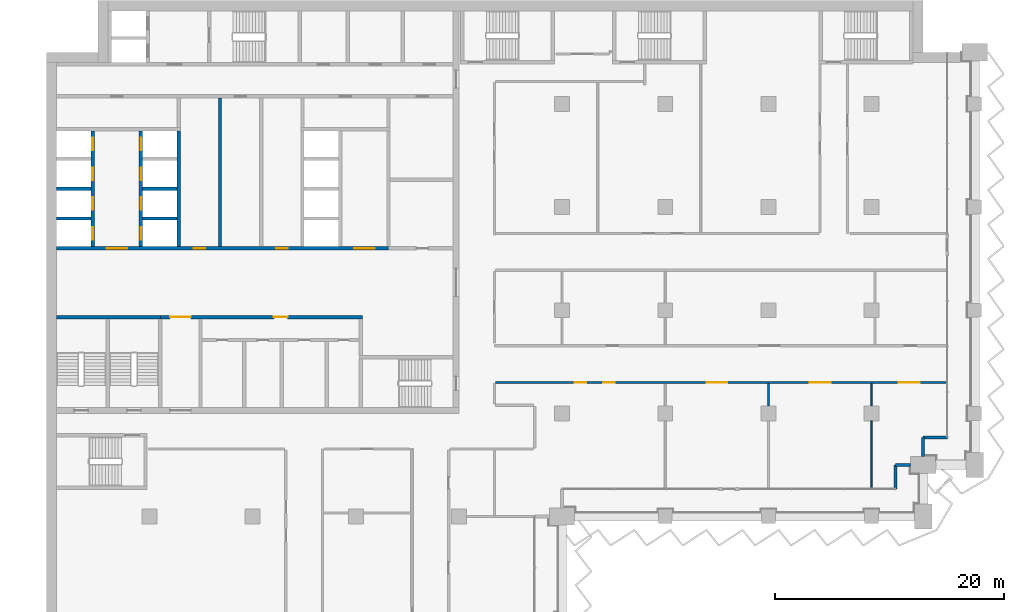
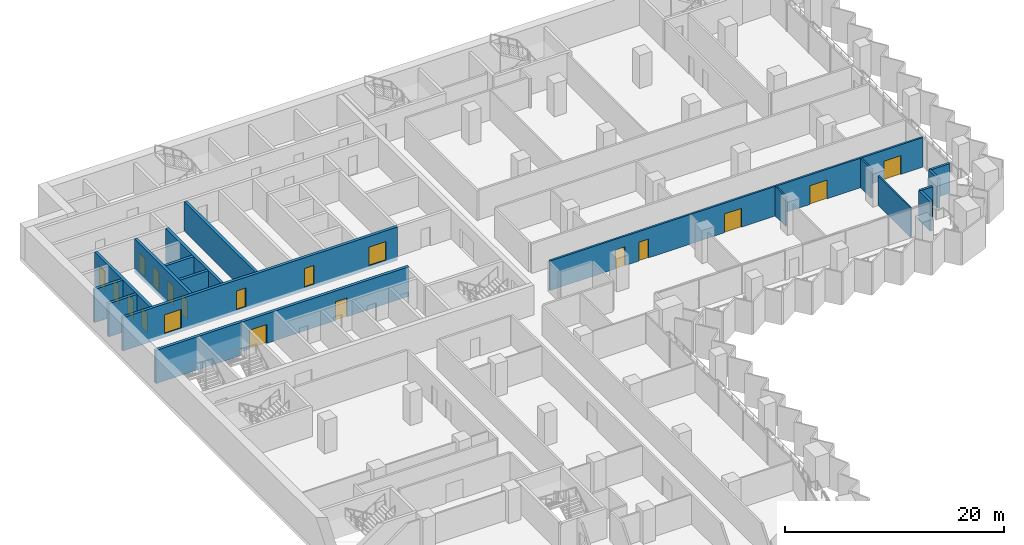
# One storey, part 12 of 23: 19 doors, 19 walls, 19 openings.
"""IFC4 building model written with IfcOpenShell, lengths in metres."""

from ifc_helpers import new_model, si_unit, direction, frame, frame_2d, origin, place, context, subcontext, project, spatial, rectangle, extrude, material, layer, layer_set, type_object, element, fill, save


model = new_model("IFC4")

# Units and contexts
model_context = context("Model", 3, precision=1e-05, world=origin(), true_north=direction((0.0, 1.0)))
body_context = subcontext(model_context, "Body", "Model", "MODEL_VIEW")
ifc_project = project(units=[si_unit("LENGTHUNIT", "METRE"), si_unit("AREAUNIT", "SQUARE_METRE"), si_unit("VOLUMEUNIT", "CUBIC_METRE"), si_unit("PLANEANGLEUNIT", "RADIAN"), si_unit("MASSUNIT", "GRAM", prefix="KILO")], contexts=[model_context])

# Site, building, storey
site_placement = place(None, origin())
site = spatial("IfcSite", under=ifc_project, at=site_placement, CompositionType="ELEMENT")
building_placement = place(site_placement, origin())
building = spatial("IfcBuilding", under=site, at=building_placement, Name="Hunhe Ridgeline Campus", CompositionType="ELEMENT")
storey_placement = place(building_placement, frame((0.0, 0.0, 99.60009765625)))
storey = spatial("IfcBuildingStorey", under=building, at=storey_placement, Name="L24", CompositionType="ELEMENT", Elevation=99.60009765625)

# Wall, openings, doors
ifc_material_1 = material(Name="Masonry concrete blockwork", Category="masonry")
ifc_layer_1 = layer(ifc_material_1, 0.300048828125)
ifc_layer_set_1 = layer_set([ifc_layer_1], Name="Core room partition 300 concrete block")
wall_type_1 = type_object("IfcWallType", Name="Core room partition 300 concrete block", PredefinedType="PARTITIONING", material=ifc_layer_set_1)
wall_1_placement = place(storey_placement, frame((9.949951171875, 71.39990234375, 0.0), z_axis=(0.0, 0.0, 1.0), x_axis=(1.0, 0.0, 0.0)))
wall_1 = element("IfcWall", 1, at=wall_1_placement, inside=storey, type_object=wall_type_1, Name="L24 core partition 11", PredefinedType="PARTITIONING", context=body_context, shape_type="SweptSolid", body=[
    extrude(rectangle(XDim=17.650146484375, YDim=0.300048828125, at=frame_2d((8.8251953125, 0.0))), origin(), (0.0, 0.0, 1.0), 3.2998046875),
])
opening_1_placement = place(wall_1_placement, frame((0.85009765625, 0.0, 0.0)))
opening_1 = element("IfcOpeningElement", 2, at=opening_1_placement, cuts=wall_1, Name="Opening CD7", PredefinedType="OPENING", context=body_context, shape_type="SweptSolid", body=[
    extrude(rectangle(XDim=1.800048828125, YDim=2.10009765625, at=frame_2d((0.89990234375, 1.050048828125))), frame((0.0, 0.14990234375, 0.0), z_axis=(0.0, -1.0, 0.0), x_axis=(1.0, 0.0, 0.0)), (0.0, 0.0, 1.0), 0.300048828125),
])
opening_2_placement = place(wall_1_placement, frame((9.89990234375, 0.0, 0.0)))
opening_2 = element("IfcOpeningElement", 3, at=opening_2_placement, cuts=wall_1, Name="Opening CD12", PredefinedType="OPENING", context=body_context, shape_type="SweptSolid", body=[
    extrude(rectangle(XDim=1.199951171875, YDim=2.10009765625, at=frame_2d((0.60009765625, 1.050048828125))), frame((0.0, 0.14990234375, 0.0), z_axis=(0.0, -1.0, 0.0), x_axis=(1.0, 0.0, 0.0)), (0.0, 0.0, 1.0), 0.300048828125),
])
ifc_material_2 = material(Name="Anodised aluminium and glass", Category="aluminium")
door_type_1 = type_object("IfcDoorType", Name="Glazed double door 1800x2100", OperationType="DOUBLE_DOOR_SINGLE_SWING", PredefinedType="DOOR", material=ifc_material_2)
door_1_placement = place(opening_1_placement, origin())
door_1 = element("IfcDoor", 4, at=door_1_placement, inside=storey, type_object=door_type_1, Name="L24 door VEST-HALL", OperationType="DOUBLE_DOOR_SINGLE_SWING", OverallHeight=2.10009765625, OverallWidth=1.800048828125, PredefinedType="DOOR", context=body_context, shape_type="SweptSolid", body=[
    extrude(rectangle(XDim=1.800048828125, YDim=2.10009765625, at=frame_2d((0.89990234375, 1.050048828125))), frame((0.0, 0.02490234375, 0.0), z_axis=(0.0, -1.0, 0.0), x_axis=(1.0, 0.0, 0.0)), (0.0, 0.0, 1.0), 0.050048828125),
])
fill(opening_1, door_1)
ifc_material_3 = material(Name="Solid core timber door leaf", Category="wood")
door_type_2 = type_object("IfcDoorType", Name="Timber door 1200x2100", OperationType="SINGLE_SWING_LEFT", PredefinedType="DOOR", material=ifc_material_3)
door_2_placement = place(opening_2_placement, origin())
door_2 = element("IfcDoor", 5, at=door_2_placement, inside=storey, type_object=door_type_2, Name="L24 door WCL2-HALL", OperationType="SINGLE_SWING_LEFT", OverallHeight=2.10009765625, OverallWidth=1.199951171875, PredefinedType="DOOR", context=body_context, shape_type="SweptSolid", body=[
    extrude(rectangle(XDim=1.199951171875, YDim=2.10009765625, at=frame_2d((0.60009765625, 1.050048828125))), frame((0.0, 0.02490234375, 0.0), z_axis=(0.0, -1.0, 0.0), x_axis=(1.0, 0.0, 0.0)), (0.0, 0.0, 1.0), 0.050048828125),
])
fill(opening_2, door_2)

# Walls
wall_2_placement = place(storey_placement, frame((15.14990234375, 77.550048828125, 0.0), z_axis=(0.0, 0.0, 1.0), x_axis=(0.0, 1.0, 0.0)))
element("IfcWall", 6, at=wall_2_placement, inside=storey, type_object=wall_type_1, Name="L24 core partition 44", PredefinedType="PARTITIONING", context=body_context, shape_type="SweptSolid", body=[
    extrude(rectangle(XDim=12.949951171875, YDim=0.300048828125, at=frame_2d((6.47509765625, 0.0))), origin(), (0.0, 0.0, 1.0), 3.2998046875),
])
ifc_material_4 = material(Name="Concrete C30", Category="concrete")
ifc_layer_2 = layer(ifc_material_4, 0.25)
ifc_layer_set_2 = layer_set([ifc_layer_2], Name="Corner return wall 250 Concrete C30")
wall_type_2 = type_object("IfcWallType", Name="Corner return wall 250 Concrete C30", PredefinedType="SOLIDWALL", material=ifc_layer_set_2)
wall_3_placement = place(storey_placement, frame((74.09912109375, 56.40087890625, 0.0), z_axis=(0.0, 0.0, 1.0), x_axis=(0.00011626555, 0.999999993241, 0.0)))
element("IfcWall", 7, at=wall_3_placement, inside=storey, type_object=wall_type_2, Name="Corner return wall 4", PredefinedType="SOLIDWALL", context=body_context, shape_type="SweptSolid", body=[
    extrude(rectangle(XDim=2.099853515625, YDim=0.25, at=frame_2d((1.0498046875, 0.0))), origin(), (0.0, 0.0, 1.0), 3.2998046875),
])
wall_4_placement = place(storey_placement, frame((74.099365234375, 58.500732421875, 0.0), z_axis=(0.0, 0.0, 1.0), x_axis=(0.99999998238, 0.000187722918, 0.0)))
element("IfcWall", 8, at=wall_4_placement, inside=storey, type_object=wall_type_2, Name="Corner return wall 5", PredefinedType="SOLIDWALL", context=body_context, shape_type="SweptSolid", body=[
    extrude(rectangle(XDim=1.300537109375, YDim=0.25, at=frame_2d((0.650390625, 0.0))), origin(), (0.0, 0.0, 1.0), 3.2998046875),
])
wall_5_placement = place(storey_placement, frame((76.4990234375, 59.25, 0.0), z_axis=(0.0, 0.0, 1.0), x_axis=(0.000147907113, 0.999999989062, 0.0)))
element("IfcWall", 9, at=wall_5_placement, inside=storey, type_object=wall_type_2, Name="Corner return wall 6", PredefinedType="SOLIDWALL", context=body_context, shape_type="SweptSolid", body=[
    extrude(rectangle(XDim=1.650634765625, YDim=0.25, at=frame_2d((0.8251953125, 0.0))), origin(), (0.0, 0.0, 1.0), 3.2998046875),
])
wall_6_placement = place(storey_placement, frame((76.499267578125, 60.900634765625, 0.0), z_axis=(0.0, 0.0, 1.0), x_axis=(0.999999993241, 0.00011626555, 0.0)))
element("IfcWall", 10, at=wall_6_placement, inside=storey, type_object=wall_type_2, Name="Corner return wall 7", PredefinedType="SOLIDWALL", context=body_context, shape_type="SweptSolid", body=[
    extrude(rectangle(XDim=2.099853515625, YDim=0.25, at=frame_2d((1.0498046875, 0.0))), origin(), (0.0, 0.0, 1.0), 3.2998046875),
])

# Wall, openings, doors
ifc_material_5 = material(Name="Gypsum board partition")
ifc_layer_3 = layer(ifc_material_5, 0.199951171875)
ifc_layer_set_3 = layer_set([ifc_layer_3], Name="Corridor partition 200 gypsum board on steel studs")
wall_type_3 = type_object("IfcWallType", Name="Corridor partition 200 gypsum board on steel studs", PredefinedType="PARTITIONING", material=ifc_layer_set_3)
wall_7_placement = place(storey_placement, frame((78.544921875, 65.699951171875, 0.0), z_axis=(0.0, 0.0, 1.0), x_axis=(-1.0, 0.0, 0.0)))
wall_7 = element("IfcWall", 11, at=wall_7_placement, inside=storey, type_object=wall_type_3, Name="F-L24-wall-033", PredefinedType="PARTITIONING", context=body_context, shape_type="SweptSolid", body=[
    extrude(rectangle(XDim=39.344970703125, YDim=0.199951171875, at=frame_2d((19.67236328125, 0.0))), origin(), (0.0, 0.0, 1.0), 3.2998046875),
])
opening_3_placement = place(wall_7_placement, frame((31.4521484375, 0.0, 0.0)))
opening_3 = element("IfcOpeningElement", 12, at=opening_3_placement, cuts=wall_7, Name="Opening RD1-020", PredefinedType="OPENING", context=body_context, shape_type="SweptSolid", body=[
    extrude(rectangle(XDim=1.0, YDim=2.10009765625, at=frame_2d((0.5, 1.050048828125))), frame((0.0, 0.10009765625, 0.0), z_axis=(0.0, -1.0, 0.0), x_axis=(1.0, 0.0, 0.0)), (0.0, 0.0, 1.0), 0.199951171875),
])
opening_4_placement = place(wall_7_placement, frame((28.9521484375, 0.0, 0.0)))
opening_4 = element("IfcOpeningElement", 13, at=opening_4_placement, cuts=wall_7, Name="Opening RD1-021", PredefinedType="OPENING", context=body_context, shape_type="SweptSolid", body=[
    extrude(rectangle(XDim=1.0, YDim=2.10009765625, at=frame_2d((0.5, 1.050048828125))), frame((0.0, 0.10009765625, 0.0), z_axis=(0.0, -1.0, 0.0), x_axis=(1.0, 0.0, 0.0)), (0.0, 0.0, 1.0), 0.199951171875),
])
opening_5_placement = place(wall_7_placement, frame((19.1484375, 0.0, 0.0)))
opening_5 = element("IfcOpeningElement", 14, at=opening_5_placement, cuts=wall_7, Name="Opening RD2-022", PredefinedType="OPENING", context=body_context, shape_type="SweptSolid", body=[
    extrude(rectangle(XDim=1.800048828125, YDim=2.10009765625, at=frame_2d((0.89990234375, 1.050048828125))), frame((0.0, 0.10009765625, 0.0), z_axis=(0.0, -1.0, 0.0), x_axis=(1.0, 0.0, 0.0)), (0.0, 0.0, 1.0), 0.199951171875),
])
opening_6_placement = place(wall_7_placement, frame((10.126708984375, 0.0, 0.0)))
opening_6 = element("IfcOpeningElement", 15, at=opening_6_placement, cuts=wall_7, Name="Opening RD2-023", PredefinedType="OPENING", context=body_context, shape_type="SweptSolid", body=[
    extrude(rectangle(XDim=1.800048828125, YDim=2.10009765625, at=frame_2d((0.89990234375, 1.050048828125))), frame((0.0, 0.10009765625, 0.0), z_axis=(0.0, -1.0, 0.0), x_axis=(1.0, 0.0, 0.0)), (0.0, 0.0, 1.0), 0.199951171875),
])
opening_7_placement = place(wall_7_placement, frame((2.35791015625, 0.0, 0.0)))
opening_7 = element("IfcOpeningElement", 16, at=opening_7_placement, cuts=wall_7, Name="Opening RD2-024", PredefinedType="OPENING", context=body_context, shape_type="SweptSolid", body=[
    extrude(rectangle(XDim=1.800048828125, YDim=2.10009765625, at=frame_2d((0.89990234375, 1.050048828125))), frame((0.0, 0.10009765625, 0.0), z_axis=(0.0, -1.0, 0.0), x_axis=(1.0, 0.0, 0.0)), (0.0, 0.0, 1.0), 0.199951171875),
])
ifc_material_6 = material(Name="Timber door leaf", Category="wood")
door_type_3 = type_object("IfcDoorType", Name="Double fire door 1800x2100 timber FD60", OperationType="DOUBLE_DOOR_SINGLE_SWING", PredefinedType="DOOR", material=ifc_material_6)
door_3_placement = place(opening_5_placement, origin())
door_3 = element("IfcDoor", 17, at=door_3_placement, inside=storey, type_object=door_type_3, Name="F-L24-door-022", OperationType="DOUBLE_DOOR_SINGLE_SWING", OverallHeight=2.10009765625, OverallWidth=1.800048828125, PredefinedType="DOOR", context=body_context, shape_type="SweptSolid", body=[
    extrude(rectangle(XDim=1.800048828125, YDim=2.10009765625, at=frame_2d((0.89990234375, 1.050048828125))), frame((0.0, 0.02490234375, 0.0), z_axis=(0.0, -1.0, 0.0), x_axis=(1.0, 0.0, 0.0)), (0.0, 0.0, 1.0), 0.050048828125),
])
fill(opening_5, door_3)
door_4_placement = place(opening_6_placement, origin())
door_4 = element("IfcDoor", 18, at=door_4_placement, inside=storey, type_object=door_type_3, Name="F-L24-door-023", OperationType="DOUBLE_DOOR_SINGLE_SWING", OverallHeight=2.10009765625, OverallWidth=1.800048828125, PredefinedType="DOOR", context=body_context, shape_type="SweptSolid", body=[
    extrude(rectangle(XDim=1.800048828125, YDim=2.10009765625, at=frame_2d((0.89990234375, 1.050048828125))), frame((0.0, 0.02490234375, 0.0), z_axis=(0.0, -1.0, 0.0), x_axis=(1.0, 0.0, 0.0)), (0.0, 0.0, 1.0), 0.050048828125),
])
fill(opening_6, door_4)
door_5_placement = place(opening_7_placement, origin())
door_5 = element("IfcDoor", 19, at=door_5_placement, inside=storey, type_object=door_type_3, Name="F-L24-door-024", OperationType="DOUBLE_DOOR_SINGLE_SWING", OverallHeight=2.10009765625, OverallWidth=1.800048828125, PredefinedType="DOOR", context=body_context, shape_type="SweptSolid", body=[
    extrude(rectangle(XDim=1.800048828125, YDim=2.10009765625, at=frame_2d((0.89990234375, 1.050048828125))), frame((0.0, 0.02490234375, 0.0), z_axis=(0.0, -1.0, 0.0), x_axis=(1.0, 0.0, 0.0)), (0.0, 0.0, 1.0), 0.050048828125),
])
fill(opening_7, door_5)
door_type_4 = type_object("IfcDoorType", Name="Single fire door 1000x2100 timber FD60", OperationType="NOTDEFINED", PredefinedType="DOOR", material=ifc_material_6)
door_6_placement = place(opening_3_placement, frame((1.0, 0.0, 0.0), z_axis=(0.0, 0.0, 1.0), x_axis=(-1.0, 0.0, 0.0)))
door_6 = element("IfcDoor", 20, at=door_6_placement, inside=storey, type_object=door_type_4, Name="F-L24-door-020", OperationType="SINGLE_SWING_LEFT", OverallHeight=2.10009765625, OverallWidth=1.0, PredefinedType="DOOR", context=body_context, shape_type="SweptSolid", body=[
    extrude(rectangle(XDim=1.0, YDim=2.10009765625, at=frame_2d((0.5, 1.050048828125))), frame((0.0, 0.02490234375, 0.0), z_axis=(0.0, -1.0, 0.0), x_axis=(1.0, 0.0, 0.0)), (0.0, 0.0, 1.0), 0.050048828125),
])
fill(opening_3, door_6)
door_7_placement = place(opening_4_placement, frame((1.0, 0.0, 0.0), z_axis=(0.0, 0.0, 1.0), x_axis=(-1.0, 0.0, 0.0)))
door_7 = element("IfcDoor", 21, at=door_7_placement, inside=storey, type_object=door_type_4, Name="F-L24-door-021", OperationType="SINGLE_SWING_RIGHT", OverallHeight=2.10009765625, OverallWidth=1.0, PredefinedType="DOOR", context=body_context, shape_type="SweptSolid", body=[
    extrude(rectangle(XDim=1.0, YDim=2.10009765625, at=frame_2d((0.5, 1.050048828125))), frame((0.0, 0.02490234375, 0.0), z_axis=(0.0, -1.0, 0.0), x_axis=(1.0, 0.0, 0.0)), (0.0, 0.0, 1.0), 0.050048828125),
])
fill(opening_4, door_7)

# Walls
ifc_layer_4 = layer(ifc_material_5, 0.14990234375)
ifc_layer_set_4 = layer_set([ifc_layer_4], Name="Room partition 150 gypsum board on steel studs")
wall_type_4 = type_object("IfcWallType", Name="Room partition 150 gypsum board on steel studs", PredefinedType="PARTITIONING", material=ifc_layer_set_4)
wall_8_placement = place(storey_placement, frame((63.0, 65.60009765625, 0.0), z_axis=(0.0, 0.0, 1.0), x_axis=(0.0, -1.0, 0.0)))
element("IfcWall", 22, at=wall_8_placement, inside=storey, type_object=wall_type_4, Name="F-L24-wall-067", PredefinedType="PARTITIONING", context=body_context, shape_type="SweptSolid", body=[
    extrude(rectangle(XDim=1.9501953125, YDim=0.14990234375, at=frame_2d((0.97509765625, 0.0))), origin(), (0.0, 0.0, 1.0), 3.2998046875),
])
wall_9_placement = place(storey_placement, frame((72.0, 62.35009765625, 0.0), z_axis=(0.0, 0.0, 1.0), x_axis=(0.0, -1.0, 0.0)))
element("IfcWall", 23, at=wall_9_placement, inside=storey, type_object=wall_type_4, Name="F-L24-wall-070", PredefinedType="PARTITIONING", context=body_context, shape_type="SweptSolid", body=[
    extrude(rectangle(XDim=5.89501953125, YDim=0.14990234375, at=frame_2d((2.947509765625, 0.0))), origin(), (0.0, 0.0, 1.0), 3.2998046875),
])
wall_10_placement = place(storey_placement, frame((72.0, 65.60009765625, 0.0), z_axis=(0.0, 0.0, 1.0), x_axis=(0.0, -1.0, 0.0)))
element("IfcWall", 24, at=wall_10_placement, inside=storey, type_object=wall_type_4, Name="F-L24-wall-071", PredefinedType="PARTITIONING", context=body_context, shape_type="SweptSolid", body=[
    extrude(rectangle(XDim=1.9501953125, YDim=0.14990234375, at=frame_2d((0.97509765625, 0.0))), origin(), (0.0, 0.0, 1.0), 3.2998046875),
])

# Wall, openings, doors
ifc_material_7 = material(Name="Concrete C80", Category="concrete")
ifc_layer_5 = layer(ifc_material_7, 0.300048828125)
ifc_layer_set_5 = layer_set([ifc_layer_5], Name="Shaft wall 300 reinforced concrete C80")
wall_type_5 = type_object("IfcWallType", Name="Shaft wall 300 reinforced concrete C80", PredefinedType="SOLIDWALL", material=ifc_layer_set_5)
wall_11_placement = place(storey_placement, frame((0.89990234375, 77.39990234375, -0.400146484375), z_axis=(0.0, 0.0, 1.0), x_axis=(1.0, 0.0, 0.0)))
wall_11 = element("IfcWall", 25, at=wall_11_placement, inside=storey, type_object=wall_type_5, Name="L24 core wall 12", PredefinedType="SOLIDWALL", context=body_context, shape_type="SweptSolid", body=[
    extrude(rectangle(XDim=28.9501953125, YDim=0.300048828125, at=frame_2d((14.47509765625, 0.0))), origin(), (0.0, 0.0, 1.0), 3.699951171875),
])
opening_8_placement = place(wall_11_placement, frame((4.35009765625, 0.0, 0.39990234375)))
opening_8 = element("IfcOpeningElement", 26, at=opening_8_placement, cuts=wall_11, Name="Opening CD1", PredefinedType="OPENING", context=body_context, shape_type="SweptSolid", body=[
    extrude(rectangle(XDim=1.800048828125, YDim=2.10009765625, at=frame_2d((0.89990234375, 1.050048828125))), frame((0.0, 0.14990234375, 0.0), z_axis=(0.0, -1.0, 0.0), x_axis=(1.0, 0.0, 0.0)), (0.0, 0.0, 1.0), 0.300048828125),
])
opening_9_placement = place(wall_11_placement, frame((25.949951171875, 0.0, 0.39990234375)))
opening_9 = element("IfcOpeningElement", 27, at=opening_9_placement, cuts=wall_11, Name="Opening CD2", PredefinedType="OPENING", context=body_context, shape_type="SweptSolid", body=[
    extrude(rectangle(XDim=1.800048828125, YDim=2.10009765625, at=frame_2d((0.89990234375, 1.050048828125))), frame((0.0, 0.14990234375, 0.0), z_axis=(0.0, -1.0, 0.0), x_axis=(1.0, 0.0, 0.0)), (0.0, 0.0, 1.0), 0.300048828125),
])
opening_10_placement = place(wall_11_placement, frame((11.949951171875, 0.0, 0.39990234375)))
opening_10 = element("IfcOpeningElement", 28, at=opening_10_placement, cuts=wall_11, Name="Opening CD28", PredefinedType="OPENING", context=body_context, shape_type="SweptSolid", body=[
    extrude(rectangle(XDim=1.0, YDim=2.10009765625, at=frame_2d((0.5, 1.050048828125))), frame((0.0, 0.14990234375, 0.0), z_axis=(0.0, -1.0, 0.0), x_axis=(1.0, 0.0, 0.0)), (0.0, 0.0, 1.0), 0.300048828125),
])
opening_11_placement = place(wall_11_placement, frame((19.14990234375, 0.0, 0.39990234375)))
opening_11 = element("IfcOpeningElement", 29, at=opening_11_placement, cuts=wall_11, Name="Opening CD30", PredefinedType="OPENING", context=body_context, shape_type="SweptSolid", body=[
    extrude(rectangle(XDim=1.0, YDim=2.10009765625, at=frame_2d((0.5, 1.050048828125))), frame((0.0, 0.14990234375, 0.0), z_axis=(0.0, -1.0, 0.0), x_axis=(1.0, 0.0, 0.0)), (0.0, 0.0, 1.0), 0.300048828125),
])
ifc_material_8 = material(Name="Hollow metal fire door leaf")
door_type_5 = type_object("IfcDoorType", Name="Lobby door 1800x2100 FD60", OperationType="SINGLE_SWING_LEFT", PredefinedType="DOOR", material=ifc_material_8)
door_8_placement = place(opening_8_placement, frame((1.800048828125, 0.0, 0.0), z_axis=(0.0, 0.0, 1.0), x_axis=(-1.0, 0.0, 0.0)))
door_8 = element("IfcDoor", 30, at=door_8_placement, inside=storey, type_object=door_type_5, Name="L24 door LOB-LR", OperationType="SINGLE_SWING_RIGHT", OverallHeight=2.10009765625, OverallWidth=1.800048828125, PredefinedType="DOOR", context=body_context, shape_type="SweptSolid", body=[
    extrude(rectangle(XDim=1.800048828125, YDim=2.10009765625, at=frame_2d((0.89990234375, 1.050048828125))), frame((0.0, 0.02490234375, 0.0), z_axis=(0.0, -1.0, 0.0), x_axis=(1.0, 0.0, 0.0)), (0.0, 0.0, 1.0), 0.050048828125),
])
fill(opening_8, door_8)
door_9_placement = place(opening_9_placement, frame((1.800048828125, 0.0, 0.0), z_axis=(0.0, 0.0, 1.0), x_axis=(-1.0, 0.0, 0.0)))
door_9 = element("IfcDoor", 31, at=door_9_placement, inside=storey, type_object=door_type_5, Name="L24 door LOB-SH", OperationType="SINGLE_SWING_LEFT", OverallHeight=2.10009765625, OverallWidth=1.800048828125, PredefinedType="DOOR", context=body_context, shape_type="SweptSolid", body=[
    extrude(rectangle(XDim=1.800048828125, YDim=2.10009765625, at=frame_2d((0.89990234375, 1.050048828125))), frame((0.0, 0.02490234375, 0.0), z_axis=(0.0, -1.0, 0.0), x_axis=(1.0, 0.0, 0.0)), (0.0, 0.0, 1.0), 0.050048828125),
])
fill(opening_9, door_9)
door_type_6 = type_object("IfcDoorType", Name="Timber door 1000x2100", OperationType="SINGLE_SWING_LEFT", PredefinedType="DOOR", material=ifc_material_3)
door_10_placement = place(opening_10_placement, origin())
door_10 = element("IfcDoor", 32, at=door_10_placement, inside=storey, type_object=door_type_6, Name="L24 door VD-HR0", OperationType="SINGLE_SWING_LEFT", OverallHeight=2.10009765625, OverallWidth=1.0, PredefinedType="DOOR", context=body_context, shape_type="SweptSolid", body=[
    extrude(rectangle(XDim=1.0, YDim=2.10009765625, at=frame_2d((0.5, 1.050048828125))), frame((0.0, 0.02490234375, 0.0), z_axis=(0.0, -1.0, 0.0), x_axis=(1.0, 0.0, 0.0)), (0.0, 0.0, 1.0), 0.050048828125),
])
fill(opening_10, door_10)
door_11_placement = place(opening_11_placement, origin())
door_11 = element("IfcDoor", 33, at=door_11_placement, inside=storey, type_object=door_type_6, Name="L24 door VD-HR2", OperationType="SINGLE_SWING_LEFT", OverallHeight=2.10009765625, OverallWidth=1.0, PredefinedType="DOOR", context=body_context, shape_type="SweptSolid", body=[
    extrude(rectangle(XDim=1.0, YDim=2.10009765625, at=frame_2d((0.5, 1.050048828125))), frame((0.0, 0.02490234375, 0.0), z_axis=(0.0, -1.0, 0.0), x_axis=(1.0, 0.0, 0.0)), (0.0, 0.0, 1.0), 0.050048828125),
])
fill(opening_11, door_11)

# Walls
for number, where, z_axis, x_axis, name in (
    (34, (0.89990234375, 80.0, -0.400146484375), (0.0, 0.0, 1.0), (1.0, 0.0, 0.0), "L24 core wall 14"),
    (35, (8.39990234375, 80.0, -0.400146484375), (0.0, 0.0, 1.0), (1.0, 0.0, 0.0), "L24 core wall 15"),
    (36, (0.89990234375, 82.60009765625, -0.400146484375), (0.0, 0.0, 1.0), (1.0, 0.0, 0.0), "L24 core wall 17"),
    (37, (8.39990234375, 82.60009765625, -0.400146484375), (0.0, 0.0, 1.0), (1.0, 0.0, 0.0), "L24 core wall 18"),
):
    element("IfcWall", number, at=place(storey_placement, frame(where, z_axis=z_axis, x_axis=x_axis)), inside=storey, type_object=wall_type_5, Name=name, PredefinedType="SOLIDWALL", context=body_context, shape_type="SweptSolid", body=[
        extrude(rectangle(XDim=3.0, YDim=0.300048828125, at=frame_2d((1.5, 0.0))), origin(), (0.0, 0.0, 1.0), 3.699951171875),
    ])

# Wall, openings, doors
wall_12_placement = place(storey_placement, frame((4.050048828125, 77.550048828125, -0.400146484375), z_axis=(0.0, 0.0, 1.0), x_axis=(0.0, 1.0, 0.0)))
wall_12 = element("IfcWall", 38, at=wall_12_placement, inside=storey, type_object=wall_type_5, Name="L24 core wall 32", PredefinedType="SOLIDWALL", context=body_context, shape_type="SweptSolid", body=[
    extrude(rectangle(XDim=10.099853515625, YDim=0.300048828125, at=frame_2d((5.0498046875, 0.0))), origin(), (0.0, 0.0, 1.0), 3.699951171875),
])
opening_12_placement = place(wall_12_placement, frame((0.60009765625, 0.0, 0.39990234375)))
opening_12 = element("IfcOpeningElement", 39, at=opening_12_placement, cuts=wall_12, Name="Opening LD-LR1", PredefinedType="OPENING", context=body_context, shape_type="SweptSolid", body=[
    extrude(rectangle(XDim=1.10009765625, YDim=2.10009765625, at=frame_2d((0.550048828125, 1.050048828125))), frame((0.0, 0.14990234375, 0.0), z_axis=(0.0, -1.0, 0.0), x_axis=(1.0, 0.0, 0.0)), (0.0, 0.0, 1.0), 0.300048828125),
])
opening_13_placement = place(wall_12_placement, frame((3.199951171875, 0.0, 0.39990234375)))
opening_13 = element("IfcOpeningElement", 40, at=opening_13_placement, cuts=wall_12, Name="Opening LD-LR2", PredefinedType="OPENING", context=body_context, shape_type="SweptSolid", body=[
    extrude(rectangle(XDim=1.10009765625, YDim=2.10009765625, at=frame_2d((0.550048828125, 1.050048828125))), frame((0.0, 0.14990234375, 0.0), z_axis=(0.0, -1.0, 0.0), x_axis=(1.0, 0.0, 0.0)), (0.0, 0.0, 1.0), 0.300048828125),
])
opening_14_placement = place(wall_12_placement, frame((5.800048828125, 0.0, 0.39990234375)))
opening_14 = element("IfcOpeningElement", 41, at=opening_14_placement, cuts=wall_12, Name="Opening LD-LR3", PredefinedType="OPENING", context=body_context, shape_type="SweptSolid", body=[
    extrude(rectangle(XDim=1.10009765625, YDim=2.10009765625, at=frame_2d((0.550048828125, 1.050048828125))), frame((0.0, 0.14990234375, 0.0), z_axis=(0.0, -1.0, 0.0), x_axis=(1.0, 0.0, 0.0)), (0.0, 0.0, 1.0), 0.300048828125),
])
opening_15_placement = place(wall_12_placement, frame((8.39990234375, 0.0, 0.39990234375)))
opening_15 = element("IfcOpeningElement", 42, at=opening_15_placement, cuts=wall_12, Name="Opening LD-LR4", PredefinedType="OPENING", context=body_context, shape_type="SweptSolid", body=[
    extrude(rectangle(XDim=1.10009765625, YDim=2.10009765625, at=frame_2d((0.550048828125, 1.050048828125))), frame((0.0, 0.14990234375, 0.0), z_axis=(0.0, -1.0, 0.0), x_axis=(1.0, 0.0, 0.0)), (0.0, 0.0, 1.0), 0.300048828125),
])
ifc_material_9 = material(Name="Stainless steel sliding leaves", Category="steel")
door_type_7 = type_object("IfcDoorType", Name="Landing door 1100x2100 FD120", OperationType="SLIDING_TO_LEFT", PredefinedType="DOOR", material=ifc_material_9)
door_12_placement = place(opening_12_placement, origin())
door_12 = element("IfcDoor", 43, at=door_12_placement, inside=storey, type_object=door_type_7, Name="L24 landing door LR1", OperationType="SLIDING_TO_RIGHT", OverallHeight=2.10009765625, OverallWidth=1.10009765625, PredefinedType="DOOR", context=body_context, shape_type="SweptSolid", body=[
    extrude(rectangle(XDim=1.10009765625, YDim=2.10009765625, at=frame_2d((0.550048828125, 1.050048828125))), frame((0.0, 0.02490234375, 0.0), z_axis=(0.0, -1.0, 0.0), x_axis=(1.0, 0.0, 0.0)), (0.0, 0.0, 1.0), 0.050048828125),
])
fill(opening_12, door_12)
door_13_placement = place(opening_13_placement, origin())
door_13 = element("IfcDoor", 44, at=door_13_placement, inside=storey, type_object=door_type_7, Name="L24 landing door LR2", OperationType="SLIDING_TO_LEFT", OverallHeight=2.10009765625, OverallWidth=1.10009765625, PredefinedType="DOOR", context=body_context, shape_type="SweptSolid", body=[
    extrude(rectangle(XDim=1.10009765625, YDim=2.10009765625, at=frame_2d((0.550048828125, 1.050048828125))), frame((0.0, 0.02490234375, 0.0), z_axis=(0.0, -1.0, 0.0), x_axis=(1.0, 0.0, 0.0)), (0.0, 0.0, 1.0), 0.050048828125),
])
fill(opening_13, door_13)
door_14_placement = place(opening_14_placement, origin())
door_14 = element("IfcDoor", 45, at=door_14_placement, inside=storey, type_object=door_type_7, Name="L24 landing door LR3", OperationType="SLIDING_TO_RIGHT", OverallHeight=2.10009765625, OverallWidth=1.10009765625, PredefinedType="DOOR", context=body_context, shape_type="SweptSolid", body=[
    extrude(rectangle(XDim=1.10009765625, YDim=2.10009765625, at=frame_2d((0.550048828125, 1.050048828125))), frame((0.0, 0.02490234375, 0.0), z_axis=(0.0, -1.0, 0.0), x_axis=(1.0, 0.0, 0.0)), (0.0, 0.0, 1.0), 0.050048828125),
])
fill(opening_14, door_14)
door_15_placement = place(opening_15_placement, origin())
door_15 = element("IfcDoor", 46, at=door_15_placement, inside=storey, type_object=door_type_7, Name="L24 landing door LR4", OperationType="SLIDING_TO_LEFT", OverallHeight=2.10009765625, OverallWidth=1.10009765625, PredefinedType="DOOR", context=body_context, shape_type="SweptSolid", body=[
    extrude(rectangle(XDim=1.10009765625, YDim=2.10009765625, at=frame_2d((0.550048828125, 1.050048828125))), frame((0.0, 0.02490234375, 0.0), z_axis=(0.0, -1.0, 0.0), x_axis=(1.0, 0.0, 0.0)), (0.0, 0.0, 1.0), 0.050048828125),
])
fill(opening_15, door_15)

wall_13_placement = place(storey_placement, frame((8.25, 77.550048828125, -0.400146484375), z_axis=(0.0, 0.0, 1.0), x_axis=(0.0, 1.0, 0.0)))
wall_13 = element("IfcWall", 47, at=wall_13_placement, inside=storey, type_object=wall_type_5, Name="L24 core wall 35", PredefinedType="SOLIDWALL", context=body_context, shape_type="SweptSolid", body=[
    extrude(rectangle(XDim=10.099853515625, YDim=0.300048828125, at=frame_2d((5.0498046875, 0.0))), origin(), (0.0, 0.0, 1.0), 3.699951171875),
])
opening_16_placement = place(wall_13_placement, frame((0.60009765625, 0.0, 0.39990234375)))
opening_16 = element("IfcOpeningElement", 48, at=opening_16_placement, cuts=wall_13, Name="Opening LD-LR5", PredefinedType="OPENING", context=body_context, shape_type="SweptSolid", body=[
    extrude(rectangle(XDim=1.10009765625, YDim=2.10009765625, at=frame_2d((0.550048828125, 1.050048828125))), frame((0.0, 0.14990234375, 0.0), z_axis=(0.0, -1.0, 0.0), x_axis=(1.0, 0.0, 0.0)), (0.0, 0.0, 1.0), 0.300048828125),
])
opening_17_placement = place(wall_13_placement, frame((3.199951171875, 0.0, 0.39990234375)))
opening_17 = element("IfcOpeningElement", 49, at=opening_17_placement, cuts=wall_13, Name="Opening LD-LR6", PredefinedType="OPENING", context=body_context, shape_type="SweptSolid", body=[
    extrude(rectangle(XDim=1.10009765625, YDim=2.10009765625, at=frame_2d((0.550048828125, 1.050048828125))), frame((0.0, 0.14990234375, 0.0), z_axis=(0.0, -1.0, 0.0), x_axis=(1.0, 0.0, 0.0)), (0.0, 0.0, 1.0), 0.300048828125),
])
opening_18_placement = place(wall_13_placement, frame((5.800048828125, 0.0, 0.39990234375)))
opening_18 = element("IfcOpeningElement", 50, at=opening_18_placement, cuts=wall_13, Name="Opening LD-LR7", PredefinedType="OPENING", context=body_context, shape_type="SweptSolid", body=[
    extrude(rectangle(XDim=1.10009765625, YDim=2.10009765625, at=frame_2d((0.550048828125, 1.050048828125))), frame((0.0, 0.14990234375, 0.0), z_axis=(0.0, -1.0, 0.0), x_axis=(1.0, 0.0, 0.0)), (0.0, 0.0, 1.0), 0.300048828125),
])
opening_19_placement = place(wall_13_placement, frame((8.39990234375, 0.0, 0.39990234375)))
opening_19 = element("IfcOpeningElement", 51, at=opening_19_placement, cuts=wall_13, Name="Opening LD-LR8", PredefinedType="OPENING", context=body_context, shape_type="SweptSolid", body=[
    extrude(rectangle(XDim=1.10009765625, YDim=2.10009765625, at=frame_2d((0.550048828125, 1.050048828125))), frame((0.0, 0.14990234375, 0.0), z_axis=(0.0, -1.0, 0.0), x_axis=(1.0, 0.0, 0.0)), (0.0, 0.0, 1.0), 0.300048828125),
])
door_16_placement = place(opening_16_placement, origin())
door_16 = element("IfcDoor", 52, at=door_16_placement, inside=storey, type_object=door_type_7, Name="L24 landing door LR5", OperationType="SLIDING_TO_RIGHT", OverallHeight=2.10009765625, OverallWidth=1.10009765625, PredefinedType="DOOR", context=body_context, shape_type="SweptSolid", body=[
    extrude(rectangle(XDim=1.10009765625, YDim=2.10009765625, at=frame_2d((0.550048828125, 1.050048828125))), frame((0.0, 0.02490234375, 0.0), z_axis=(0.0, -1.0, 0.0), x_axis=(1.0, 0.0, 0.0)), (0.0, 0.0, 1.0), 0.050048828125),
])
fill(opening_16, door_16)
door_17_placement = place(opening_17_placement, origin())
door_17 = element("IfcDoor", 53, at=door_17_placement, inside=storey, type_object=door_type_7, Name="L24 landing door LR6", OperationType="SLIDING_TO_LEFT", OverallHeight=2.10009765625, OverallWidth=1.10009765625, PredefinedType="DOOR", context=body_context, shape_type="SweptSolid", body=[
    extrude(rectangle(XDim=1.10009765625, YDim=2.10009765625, at=frame_2d((0.550048828125, 1.050048828125))), frame((0.0, 0.02490234375, 0.0), z_axis=(0.0, -1.0, 0.0), x_axis=(1.0, 0.0, 0.0)), (0.0, 0.0, 1.0), 0.050048828125),
])
fill(opening_17, door_17)
door_18_placement = place(opening_18_placement, origin())
door_18 = element("IfcDoor", 54, at=door_18_placement, inside=storey, type_object=door_type_7, Name="L24 landing door LR7", OperationType="SLIDING_TO_RIGHT", OverallHeight=2.10009765625, OverallWidth=1.10009765625, PredefinedType="DOOR", context=body_context, shape_type="SweptSolid", body=[
    extrude(rectangle(XDim=1.10009765625, YDim=2.10009765625, at=frame_2d((0.550048828125, 1.050048828125))), frame((0.0, 0.02490234375, 0.0), z_axis=(0.0, -1.0, 0.0), x_axis=(1.0, 0.0, 0.0)), (0.0, 0.0, 1.0), 0.050048828125),
])
fill(opening_18, door_18)
door_19_placement = place(opening_19_placement, origin())
door_19 = element("IfcDoor", 55, at=door_19_placement, inside=storey, type_object=door_type_7, Name="L24 landing door LR8", OperationType="SLIDING_TO_LEFT", OverallHeight=2.10009765625, OverallWidth=1.10009765625, PredefinedType="DOOR", context=body_context, shape_type="SweptSolid", body=[
    extrude(rectangle(XDim=1.10009765625, YDim=2.10009765625, at=frame_2d((0.550048828125, 1.050048828125))), frame((0.0, 0.02490234375, 0.0), z_axis=(0.0, -1.0, 0.0), x_axis=(1.0, 0.0, 0.0)), (0.0, 0.0, 1.0), 0.050048828125),
])
fill(opening_19, door_19)

# Walls
wall_14_placement = place(storey_placement, frame((11.550048828125, 77.550048828125, -0.400146484375), z_axis=(0.0, 0.0, 1.0), x_axis=(0.0, 1.0, 0.0)))
element("IfcWall", 56, at=wall_14_placement, inside=storey, type_object=wall_type_5, Name="L24 core wall 40", PredefinedType="SOLIDWALL", context=body_context, shape_type="SweptSolid", body=[
    extrude(rectangle(XDim=10.099853515625, YDim=0.300048828125, at=frame_2d((5.0498046875, 0.0))), origin(), (0.0, 0.0, 1.0), 3.699951171875),
])
ifc_layer_6 = layer(ifc_material_7, 0.300048828125)
ifc_layer_set_6 = layer_set([ifc_layer_6], Name="Stair wall 300 reinforced concrete C80")
wall_type_6 = type_object("IfcWallType", Name="Stair wall 300 reinforced concrete C80", PredefinedType="SOLIDWALL", material=ifc_layer_set_6)
wall_15_placement = place(storey_placement, frame((0.89990234375, 71.39990234375, -0.400146484375), z_axis=(0.0, 0.0, 1.0), x_axis=(1.0, 0.0, 0.0)))
element("IfcWall", 57, at=wall_15_placement, inside=storey, type_object=wall_type_6, Name="L24 core wall 10", PredefinedType="SOLIDWALL", context=body_context, shape_type="SweptSolid", body=[
    extrude(rectangle(XDim=9.050048828125, YDim=0.300048828125, at=frame_2d((4.52490234375, 0.0))), origin(), (0.0, 0.0, 1.0), 3.699951171875),
])

save(model, "model.ifc")
